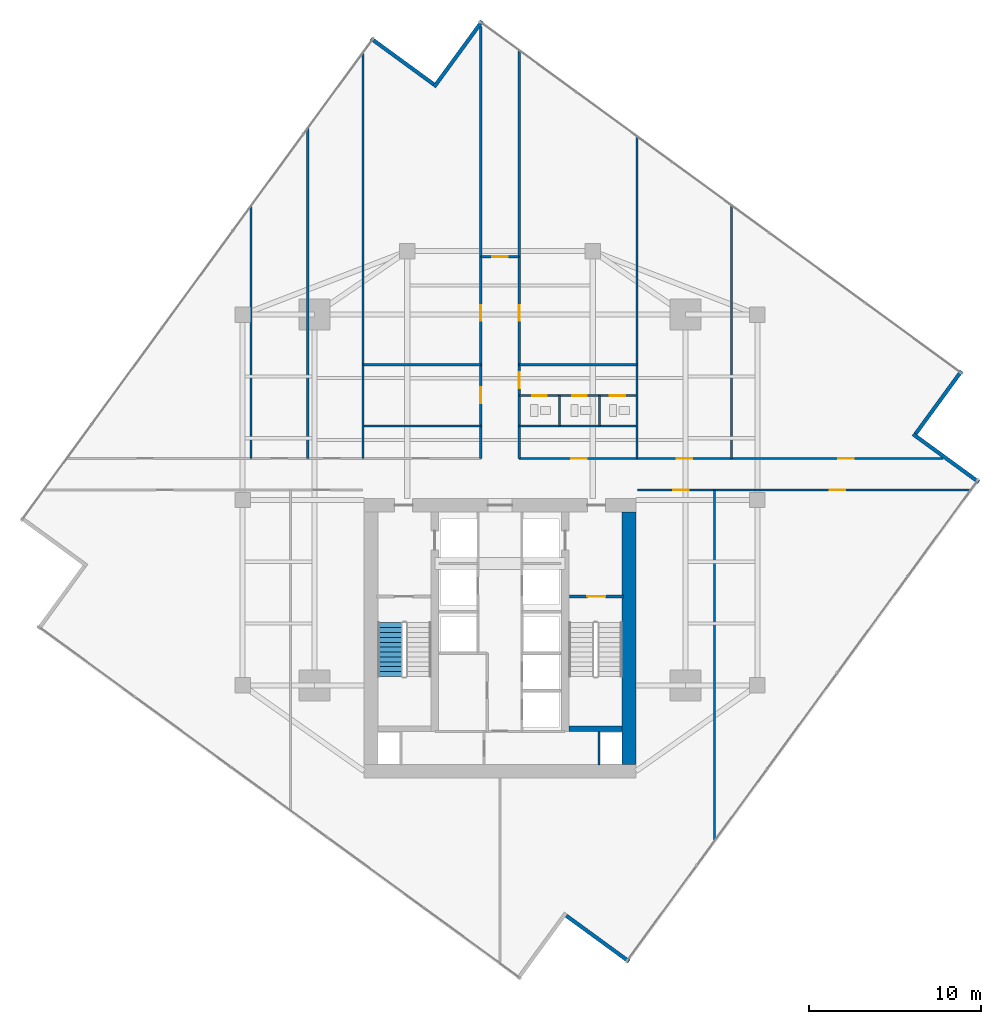
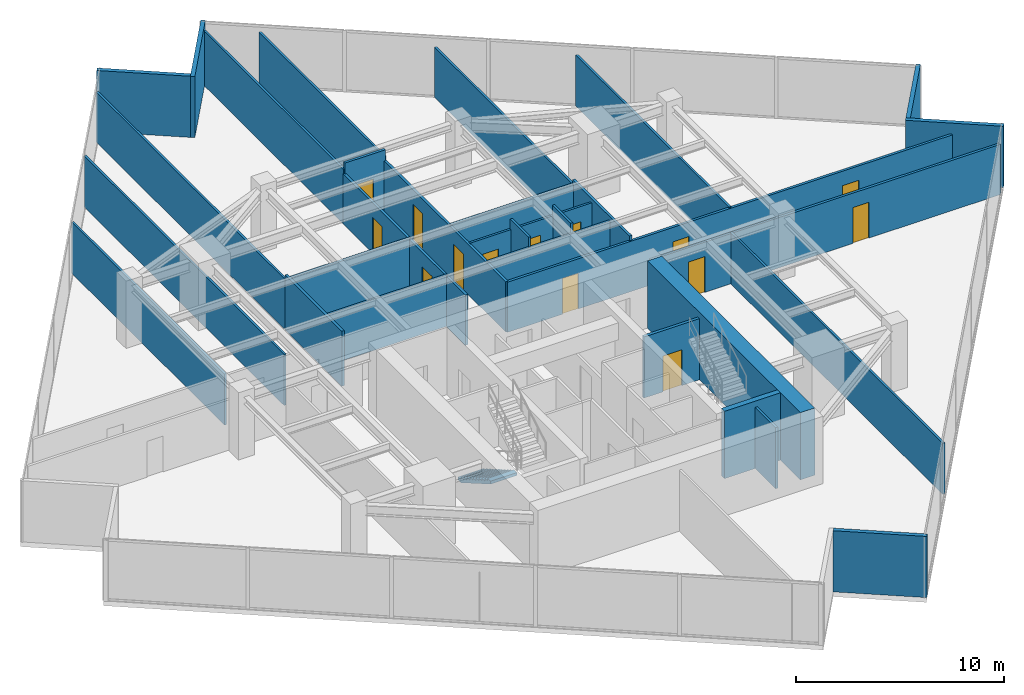
# One storey, part 22 of 25: 31 walls, 14 doors, 1 stair flight, 14 openings, 1 element without a shape of its own.
"""IFC4 building model written with IfcOpenShell, lengths in metres."""

from ifc_helpers import new_model, si_unit, direction, frame, frame_2d, origin, place, context, subcontext, project, spatial, polyline, rectangle, outline, extrude, material, layer, layer_set, type_object, element, fill, aggregate, save


model = new_model("IFC4")

# Units and contexts
model_context = context("Model", 3, precision=1e-05, world=origin(), true_north=direction((0.0, 1.0)))
body_context = subcontext(model_context, "Body", "Model", "MODEL_VIEW")
ifc_project = project(units=[si_unit("LENGTHUNIT", "METRE"), si_unit("AREAUNIT", "SQUARE_METRE"), si_unit("VOLUMEUNIT", "CUBIC_METRE"), si_unit("PLANEANGLEUNIT", "RADIAN"), si_unit("MASSUNIT", "GRAM", prefix="KILO")], contexts=[model_context])

# Site, building, storey
site_placement = place(None, origin())
site = spatial("IfcSite", under=ifc_project, at=site_placement, CompositionType="ELEMENT")
building_placement = place(site_placement, origin())
building = spatial("IfcBuilding", under=site, at=building_placement, Name="Krantzveldt Concourse Tower", CompositionType="ELEMENT")
storey_placement = place(building_placement, frame((0.0, 0.0, 197.550048828125)))
storey = spatial("IfcBuildingStorey", under=building, at=storey_placement, Name="L48", CompositionType="ELEMENT", Elevation=197.550048828125)

# Walls
ifc_material_1 = material(Name="Anodised aluminium 6063-T6", Category="aluminium")
ifc_layer_1 = layer(ifc_material_1, 0.219970703125, Name="Anodised aluminium 6063-T6", Category="aluminium")
ifc_layer_set_1 = layer_set([ifc_layer_1], Name="Anodised aluminium 6063-T6 (WL-EXT-NOTCH220)")
wall_type_1 = type_object("IfcWallType", Name="WL-EXT-NOTCH220", PredefinedType="ELEMENTEDWALL", material=ifc_layer_set_1)
for number, where, z_axis, x_axis, name in (
    (1, (32.138671875, 50.923828125, 0.0), (0.0, 0.0, 1.0), (-0.807734007732, 0.589547091209, 0.0), "EW-L48-NCH00"),
    (2, (39.861328125, 2.47607421875, 0.0), (0.0, 0.0, 1.0), (0.807734007732, -0.589547091209, 0.0), "EW-L48-NCH06"),
):
    element("IfcWall", number, at=place(storey_placement, frame(where, z_axis=z_axis, x_axis=x_axis)), inside=storey, type_object=wall_type_1, Name=name, PredefinedType="ELEMENTEDWALL", context=body_context, shape_type="SweptSolid", body=[
        extrude(rectangle(XDim=4.525146484375, YDim=0.219970703125, at=frame_2d((2.2626953125, 0.0))), origin(), (0.0, 0.0, 1.0), 3.58984375),
    ])
wall_1_placement = place(storey_placement, frame((63.90283203125, 27.73974609375, 0.0), z_axis=(0.0, 0.0, 1.0), x_axis=(-0.807718106916, 0.58956887618, 0.0)))
element("IfcWall", 3, at=wall_1_placement, inside=storey, type_object=wall_type_1, Name="EW-L48-NCH08", PredefinedType="ELEMENTEDWALL", context=body_context, shape_type="SweptSolid", body=[
    extrude(rectangle(XDim=4.7451171875, YDim=0.219970703125, at=frame_2d((2.37255859375, 0.0))), origin(), (0.0, 0.0, 1.0), 3.58984375),
])
wall_2_placement = place(storey_placement, frame((60.223876953125, 30.561279296875, 0.0), z_axis=(0.0, 0.0, 1.0), x_axis=(0.589547091209, 0.807734007732, 0.0)))
element("IfcWall", 4, at=wall_2_placement, inside=storey, type_object=wall_type_1, Name="EW-L48-NCH09", PredefinedType="ELEMENTEDWALL", context=body_context, shape_type="SweptSolid", body=[
    extrude(rectangle(XDim=4.525146484375, YDim=0.219970703125, at=frame_2d((2.2626953125, 0.0))), origin(), (0.0, 0.0, 1.0), 3.58984375),
])
wall_3_placement = place(storey_placement, frame((34.960205078125, 54.602783203125, 0.0), z_axis=(0.0, 0.0, 1.0), x_axis=(-0.589559809791, -0.807724724568, 0.0)))
element("IfcWall", 5, at=wall_3_placement, inside=storey, type_object=wall_type_1, Name="EW-L48-NCH11", PredefinedType="ELEMENTEDWALL", context=body_context, shape_type="SweptSolid", body=[
    extrude(rectangle(XDim=4.744873046875, YDim=0.219970703125, at=frame_2d((2.37255859375, 0.0))), origin(), (0.0, 0.0, 1.0), 3.58984375),
])
ifc_material_2 = material(Name="Fire-rated gypsum plasterboard on steel stud", Category="steel")
ifc_layer_2 = layer(ifc_material_2, 0.1201171875, Name="Fire-rated gypsum plasterboard on steel stud", Category="steel")
ifc_layer_set_2 = layer_set([ifc_layer_2], Name="Fire-rated gypsum plasterboard on steel stud (WL-PART-120)")
wall_type_2 = type_object("IfcWallType", Name="WL-PART-120", PredefinedType="PARTITIONING", material=ifc_layer_set_2)
for number, where, z_axis, x_axis, name in (
    (6, (28.02001953125, 31.02001953125, 0.0), (0.0, 0.0, 1.0), (1.0, 0.0, 0.0), "WP-L48-ISML"),
    (7, (37.1201171875, 31.02001953125, 0.0), (0.0, 0.0, 1.0), (1.0, 0.0, 0.0), "WP-L48-ISMR"),
):
    element("IfcWall", number, at=place(storey_placement, frame(where, z_axis=z_axis, x_axis=x_axis)), inside=storey, type_object=wall_type_2, Name=name, PredefinedType="PARTITIONING", context=body_context, shape_type="SweptSolid", body=[
        extrude(rectangle(XDim=6.85986328125, YDim=0.1201171875, at=frame_2d((3.429931640625, 0.0))), origin(), (0.0, 0.0, 1.0), 3.0),
    ])

# Wall, openings, doors
wall_4_placement = place(storey_placement, frame((37.14990234375, 32.780029296875, 0.0), z_axis=(0.0, 0.0, 1.0), x_axis=(1.0, 0.0, 0.0)))
wall_4 = element("IfcWall", 8, at=wall_4_placement, inside=storey, type_object=wall_type_2, Name="WP-L48-WCHDR", PredefinedType="PARTITIONING", context=body_context, shape_type="SweptSolid", body=[
    extrude(rectangle(XDim=6.800048828125, YDim=0.1201171875, at=frame_2d((3.39990234375, 0.0))), origin(), (0.0, 0.0, 1.0), 3.0),
])
opening_1_placement = place(wall_4_placement, frame((0.72509765625, 0.0, 0.0)))
opening_1 = element("IfcOpeningElement", 9, at=opening_1_placement, cuts=wall_4, Name="Opening D-IN085", PredefinedType="OPENING", context=body_context, shape_type="SweptSolid", body=[
    extrude(rectangle(XDim=0.85009765625, YDim=2.10009765625, at=frame_2d((0.425048828125, 1.050048828125))), frame((0.0, 0.070068359375, 0.0), z_axis=(0.0, -1.0, 0.0), x_axis=(1.0, 0.0, 0.0)), (0.0, 0.0, 1.0), 0.14013671875),
])
opening_2_placement = place(wall_4_placement, frame((3.06494140625, 0.0, 0.0)))
opening_2 = element("IfcOpeningElement", 10, at=opening_2_placement, cuts=wall_4, Name="Opening D-IN085", PredefinedType="OPENING", context=body_context, shape_type="SweptSolid", body=[
    extrude(rectangle(XDim=0.85009765625, YDim=2.10009765625, at=frame_2d((0.425048828125, 1.050048828125))), frame((0.0, 0.070068359375, 0.0), z_axis=(0.0, -1.0, 0.0), x_axis=(1.0, 0.0, 0.0)), (0.0, 0.0, 1.0), 0.14013671875),
])
opening_3_placement = place(wall_4_placement, frame((5.25, 0.0, 0.0)))
opening_3 = element("IfcOpeningElement", 11, at=opening_3_placement, cuts=wall_4, Name="Opening D-IN090", PredefinedType="OPENING", context=body_context, shape_type="SweptSolid", body=[
    extrude(rectangle(XDim=0.89990234375, YDim=2.10009765625, at=frame_2d((0.449951171875, 1.050048828125))), frame((0.0, 0.070068359375, 0.0), z_axis=(0.0, -1.0, 0.0), x_axis=(1.0, 0.0, 0.0)), (0.0, 0.0, 1.0), 0.14013671875),
])
ifc_material_3 = material(Name="Hardwood timber", Category="wood")
door_type_1 = type_object("IfcDoorType", Name="DR-INT-850", OperationType="SINGLE_SWING_LEFT", PredefinedType="DOOR", material=ifc_material_3)
door_1_placement = place(opening_1_placement, origin())
door_1 = element("IfcDoor", 12, at=door_1_placement, inside=storey, type_object=door_type_1, Name="DR-L48-WCM", OperationType="SINGLE_SWING_LEFT", OverallHeight=2.10009765625, OverallWidth=0.85009765625, PredefinedType="DOOR", context=body_context, shape_type="SweptSolid", body=[
    extrude(rectangle(XDim=0.85009765625, YDim=2.10009765625, at=frame_2d((0.425048828125, 1.050048828125))), frame((0.0, 0.02490234375, 0.0), z_axis=(0.0, -1.0, 0.0), x_axis=(1.0, 0.0, 0.0)), (0.0, 0.0, 1.0), 0.050048828125),
])
fill(opening_1, door_1)
door_2_placement = place(opening_2_placement, origin())
door_2 = element("IfcDoor", 13, at=door_2_placement, inside=storey, type_object=door_type_1, Name="DR-L48-WCF", OperationType="SINGLE_SWING_RIGHT", OverallHeight=2.10009765625, OverallWidth=0.85009765625, PredefinedType="DOOR", context=body_context, shape_type="SweptSolid", body=[
    extrude(rectangle(XDim=0.85009765625, YDim=2.10009765625, at=frame_2d((0.425048828125, 1.050048828125))), frame((0.0, 0.02490234375, 0.0), z_axis=(0.0, -1.0, 0.0), x_axis=(1.0, 0.0, 0.0)), (0.0, 0.0, 1.0), 0.050048828125),
])
fill(opening_2, door_2)
door_type_2 = type_object("IfcDoorType", Name="DR-INT-900", OperationType="SINGLE_SWING_LEFT", PredefinedType="DOOR", material=ifc_material_3)
door_3_placement = place(opening_3_placement, origin())
door_3 = element("IfcDoor", 14, at=door_3_placement, inside=storey, type_object=door_type_2, Name="DR-L48-WCA", OperationType="SINGLE_SWING_LEFT", OverallHeight=2.10009765625, OverallWidth=0.89990234375, PredefinedType="DOOR", context=body_context, shape_type="SweptSolid", body=[
    extrude(rectangle(XDim=0.89990234375, YDim=2.10009765625, at=frame_2d((0.449951171875, 1.050048828125))), frame((0.0, 0.02490234375, 0.0), z_axis=(0.0, -1.0, 0.0), x_axis=(1.0, 0.0, 0.0)), (0.0, 0.0, 1.0), 0.050048828125),
])
fill(opening_3, door_3)

# Walls
for number, where, z_axis, x_axis, name in (
    (15, (39.469970703125, 31.02001953125, 0.0), (0.0, 0.0, 1.0), (0.0, 1.0, 0.0), "WP-L48-WCD1"),
    (16, (41.81005859375, 31.02001953125, 0.0), (0.0, 0.0, 1.0), (0.0, 1.0, 0.0), "WP-L48-WCD2"),
):
    element("IfcWall", number, at=place(storey_placement, frame(where, z_axis=z_axis, x_axis=x_axis)), inside=storey, type_object=wall_type_2, Name=name, PredefinedType="PARTITIONING", context=body_context, shape_type="SweptSolid", body=[
        extrude(rectangle(XDim=1.760009765625, YDim=0.1201171875, at=frame_2d((0.8798828125, 0.0))), origin(), (0.0, 0.0, 1.0), 3.58984375),
    ])
wall_5_placement = place(storey_placement, frame((34.8798828125, 40.8798828125, 0.0), z_axis=(0.0, 0.0, 1.0), x_axis=(0.0, 1.0, 0.0)))
element("IfcWall", 17, at=wall_5_placement, inside=storey, type_object=wall_type_2, Name="WP-L48-NTL", PredefinedType="PARTITIONING", context=body_context, shape_type="SweptSolid", body=[
    extrude(rectangle(XDim=13.41796875, YDim=0.1201171875, at=frame_2d((6.708984375, 0.0))), origin(), (0.0, 0.0, 1.0), 3.199951171875),
])
wall_6_placement = place(storey_placement, frame((37.1201171875, 40.8798828125, 0.0), z_axis=(0.0, 0.0, 1.0), x_axis=(0.0, 1.0, 0.0)))
element("IfcWall", 18, at=wall_6_placement, inside=storey, type_object=wall_type_2, Name="WP-L48-NTR", PredefinedType="PARTITIONING", context=body_context, shape_type="SweptSolid", body=[
    extrude(rectangle(XDim=12.004150390625, YDim=0.1201171875, at=frame_2d((6.001953125, 0.0))), origin(), (0.0, 0.0, 1.0), 3.199951171875),
])
wall_7_placement = place(storey_placement, frame((21.5, 29.1201171875, 0.0), z_axis=(0.0, 0.0, 1.0), x_axis=(0.0, 1.0, 0.0)))
element("IfcWall", 19, at=wall_7_placement, inside=storey, type_object=wall_type_2, Name="WP-L48-NWX1", PredefinedType="PARTITIONING", context=body_context, shape_type="SweptSolid", body=[
    extrude(rectangle(XDim=14.7080078125, YDim=0.1201171875, at=frame_2d((7.35400390625, 0.0))), origin(), (0.0, 0.0, 1.0), 3.0),
])
wall_8_placement = place(storey_placement, frame((24.800048828125, 29.1201171875, 0.0), z_axis=(0.0, 0.0, 1.0), x_axis=(0.0, 1.0, 0.0)))
element("IfcWall", 20, at=wall_8_placement, inside=storey, type_object=wall_type_2, Name="WP-L48-NWX2", PredefinedType="PARTITIONING", context=body_context, shape_type="SweptSolid", body=[
    extrude(rectangle(XDim=19.229248046875, YDim=0.1201171875, at=frame_2d((9.61474609375, 0.0))), origin(), (0.0, 0.0, 1.0), 3.0),
])
wall_9_placement = place(storey_placement, frame((28.02001953125, 34.580078125, 0.0), z_axis=(0.0, 0.0, 1.0), x_axis=(0.0, 1.0, 0.0)))
element("IfcWall", 21, at=wall_9_placement, inside=storey, type_object=wall_type_2, Name="WP-L48-ISWL2", PredefinedType="PARTITIONING", context=body_context, shape_type="SweptSolid", body=[
    extrude(rectangle(XDim=18.180908203125, YDim=0.1201171875, at=frame_2d((9.09033203125, 0.0))), origin(), (0.0, 0.0, 1.0), 2.949951171875),
])
wall_10_placement = place(storey_placement, frame((43.97998046875, 34.580078125, 0.0), z_axis=(0.0, 0.0, 1.0), x_axis=(0.0, 1.0, 0.0)))
element("IfcWall", 22, at=wall_10_placement, inside=storey, type_object=wall_type_2, Name="WP-L48-ISER2", PredefinedType="PARTITIONING", context=body_context, shape_type="SweptSolid", body=[
    extrude(rectangle(XDim=13.297119140625, YDim=0.1201171875, at=frame_2d((6.6484375, 0.0))), origin(), (0.0, 0.0, 1.0), 2.949951171875),
])
wall_11_placement = place(storey_placement, frame((49.5, 29.1201171875, 0.0), z_axis=(0.0, 0.0, 1.0), x_axis=(0.0, 1.0, 0.0)))
element("IfcWall", 23, at=wall_11_placement, inside=storey, type_object=wall_type_2, Name="WP-L48-NEX1", PredefinedType="PARTITIONING", context=body_context, shape_type="SweptSolid", body=[
    extrude(rectangle(XDim=14.72802734375, YDim=0.1201171875, at=frame_2d((7.364013671875, 0.0))), origin(), (0.0, 0.0, 1.0), 3.0),
])
wall_12_placement = place(storey_placement, frame((48.5, 6.831787109375, 0.0), z_axis=(0.0, 0.0, 1.0), x_axis=(0.0, 1.0, 0.0)))
element("IfcWall", 24, at=wall_12_placement, inside=storey, type_object=wall_type_2, Name="WP-L48-SEX1", PredefinedType="PARTITIONING", context=body_context, shape_type="SweptSolid", body=[
    extrude(rectangle(XDim=20.4482421875, YDim=0.1201171875, at=frame_2d((10.22412109375, 0.0))), origin(), (0.0, 0.0, 1.0), 3.0),
])

# Wall, openings, doors
ifc_layer_3 = layer(ifc_material_2, 0.139892578125, Name="Fire-rated gypsum plasterboard on steel stud", Category="steel")
ifc_layer_set_3 = layer_set([ifc_layer_3], Name="Fire-rated gypsum plasterboard on steel stud (WL-PART-140)")
wall_type_3 = type_object("IfcWallType", Name="WL-PART-140", PredefinedType="PARTITIONING", material=ifc_layer_set_3)
wall_13_placement = place(storey_placement, frame((34.8798828125, 29.1201171875, 0.0), z_axis=(0.0, 0.0, 1.0), x_axis=(0.0, 1.0, 0.0)))
wall_13 = element("IfcWall", 25, at=wall_13_placement, inside=storey, type_object=wall_type_3, Name="WP-L48-SPWL", PredefinedType="PARTITIONING", context=body_context, shape_type="SweptSolid", body=[
    extrude(rectangle(XDim=11.759765625, YDim=0.139892578125, at=frame_2d((5.8798828125, 0.0))), origin(), (0.0, 0.0, 1.0), 2.949951171875),
])
opening_4_placement = place(wall_13_placement, frame((3.205078125, 0.0, 0.0)))
opening_4 = element("IfcOpeningElement", 26, at=opening_4_placement, cuts=wall_13, Name="Opening D-IN095", PredefinedType="OPENING", context=body_context, shape_type="SweptSolid", body=[
    extrude(rectangle(XDim=0.949951171875, YDim=2.10009765625, at=frame_2d((0.47509765625, 1.050048828125))), frame((0.0, 0.080078125, 0.0), z_axis=(0.0, -1.0, 0.0), x_axis=(1.0, 0.0, 0.0)), (0.0, 0.0, 1.0), 0.159912109375),
])
opening_5_placement = place(wall_13_placement, frame((8.02001953125, 0.0, 0.0)))
opening_5 = element("IfcOpeningElement", 27, at=opening_5_placement, cuts=wall_13, Name="Opening D-IN090", PredefinedType="OPENING", context=body_context, shape_type="SweptSolid", body=[
    extrude(rectangle(XDim=0.89990234375, YDim=2.10009765625, at=frame_2d((0.449951171875, 1.050048828125))), frame((0.0, 0.080078125, 0.0), z_axis=(0.0, -1.0, 0.0), x_axis=(1.0, 0.0, 0.0)), (0.0, 0.0, 1.0), 0.159912109375),
])
door_4_placement = place(opening_5_placement, origin())
door_4 = element("IfcDoor", 28, at=door_4_placement, inside=storey, type_object=door_type_2, Name="DR-L48-NWI1", OperationType="SINGLE_SWING_LEFT", OverallHeight=2.10009765625, OverallWidth=0.89990234375, PredefinedType="DOOR", context=body_context, shape_type="SweptSolid", body=[
    extrude(rectangle(XDim=0.89990234375, YDim=2.10009765625, at=frame_2d((0.449951171875, 1.050048828125))), frame((0.0, 0.02490234375, 0.0), z_axis=(0.0, -1.0, 0.0), x_axis=(1.0, 0.0, 0.0)), (0.0, 0.0, 1.0), 0.050048828125),
])
fill(opening_5, door_4)
door_type_3 = type_object("IfcDoorType", Name="DR-INT-950", OperationType="SINGLE_SWING_LEFT", PredefinedType="DOOR", material=ifc_material_3)
door_5_placement = place(opening_4_placement, origin())
door_5 = element("IfcDoor", 29, at=door_5_placement, inside=storey, type_object=door_type_3, Name="DR-L48-PNT", OperationType="SINGLE_SWING_RIGHT", OverallHeight=2.10009765625, OverallWidth=0.949951171875, PredefinedType="DOOR", context=body_context, shape_type="SweptSolid", body=[
    extrude(rectangle(XDim=0.949951171875, YDim=2.10009765625, at=frame_2d((0.47509765625, 1.050048828125))), frame((0.0, 0.02490234375, 0.0), z_axis=(0.0, -1.0, 0.0), x_axis=(1.0, 0.0, 0.0)), (0.0, 0.0, 1.0), 0.050048828125),
])
fill(opening_4, door_5)

wall_14_placement = place(storey_placement, frame((37.1201171875, 29.1201171875, 0.0), z_axis=(0.0, 0.0, 1.0), x_axis=(0.0, 1.0, 0.0)))
wall_14 = element("IfcWall", 30, at=wall_14_placement, inside=storey, type_object=wall_type_3, Name="WP-L48-SPER", PredefinedType="PARTITIONING", context=body_context, shape_type="SweptSolid", body=[
    extrude(rectangle(XDim=11.759765625, YDim=0.139892578125, at=frame_2d((5.8798828125, 0.0))), origin(), (0.0, 0.0, 1.0), 2.949951171875),
])
opening_6_placement = place(wall_14_placement, frame((4.0849609375, 0.0, 0.0)))
opening_6 = element("IfcOpeningElement", 31, at=opening_6_placement, cuts=wall_14, Name="Opening D-IN095", PredefinedType="OPENING", context=body_context, shape_type="SweptSolid", body=[
    extrude(rectangle(XDim=0.949951171875, YDim=2.10009765625, at=frame_2d((0.47509765625, 1.050048828125))), frame((0.0, 0.080078125, 0.0), z_axis=(0.0, -1.0, 0.0), x_axis=(1.0, 0.0, 0.0)), (0.0, 0.0, 1.0), 0.159912109375),
])
opening_7_placement = place(wall_14_placement, frame((8.02001953125, 0.0, 0.0)))
opening_7 = element("IfcOpeningElement", 32, at=opening_7_placement, cuts=wall_14, Name="Opening D-IN090", PredefinedType="OPENING", context=body_context, shape_type="SweptSolid", body=[
    extrude(rectangle(XDim=0.89990234375, YDim=2.10009765625, at=frame_2d((0.449951171875, 1.050048828125))), frame((0.0, 0.080078125, 0.0), z_axis=(0.0, -1.0, 0.0), x_axis=(1.0, 0.0, 0.0)), (0.0, 0.0, 1.0), 0.159912109375),
])
door_6_placement = place(opening_7_placement, origin())
door_6 = element("IfcDoor", 33, at=door_6_placement, inside=storey, type_object=door_type_2, Name="DR-L48-NEI1", OperationType="SINGLE_SWING_LEFT", OverallHeight=2.10009765625, OverallWidth=0.89990234375, PredefinedType="DOOR", context=body_context, shape_type="SweptSolid", body=[
    extrude(rectangle(XDim=0.89990234375, YDim=2.10009765625, at=frame_2d((0.449951171875, 1.050048828125))), frame((0.0, 0.02490234375, 0.0), z_axis=(0.0, -1.0, 0.0), x_axis=(1.0, 0.0, 0.0)), (0.0, 0.0, 1.0), 0.050048828125),
])
fill(opening_7, door_6)
door_7_placement = place(opening_6_placement, origin())
door_7 = element("IfcDoor", 34, at=door_7_placement, inside=storey, type_object=door_type_3, Name="DR-L48-WCLB", OperationType="SINGLE_SWING_LEFT", OverallHeight=2.10009765625, OverallWidth=0.949951171875, PredefinedType="DOOR", context=body_context, shape_type="SweptSolid", body=[
    extrude(rectangle(XDim=0.949951171875, YDim=2.10009765625, at=frame_2d((0.47509765625, 1.050048828125))), frame((0.0, 0.02490234375, 0.0), z_axis=(0.0, -1.0, 0.0), x_axis=(1.0, 0.0, 0.0)), (0.0, 0.0, 1.0), 0.050048828125),
])
fill(opening_6, door_7)

# Wall, opening, door
wall_15_placement = place(storey_placement, frame((34.8798828125, 40.8798828125, 0.0), z_axis=(0.0, 0.0, 1.0), x_axis=(1.0, 0.0, 0.0)))
wall_15 = element("IfcWall", 35, at=wall_15_placement, inside=storey, type_object=wall_type_3, Name="WP-L48-SPTOP", PredefinedType="PARTITIONING", context=body_context, shape_type="SweptSolid", body=[
    extrude(rectangle(XDim=2.240234375, YDim=0.139892578125, at=frame_2d((1.1201171875, 0.0))), origin(), (0.0, 0.0, 1.0), 3.58984375),
])
opening_8_placement = place(wall_15_placement, frame((0.669921875, 0.0, 0.0)))
opening_8 = element("IfcOpeningElement", 36, at=opening_8_placement, cuts=wall_15, Name="Opening D-IN090", PredefinedType="OPENING", context=body_context, shape_type="SweptSolid", body=[
    extrude(rectangle(XDim=0.89990234375, YDim=2.10009765625, at=frame_2d((0.449951171875, 1.050048828125))), frame((0.0, 0.080078125, 0.0), z_axis=(0.0, -1.0, 0.0), x_axis=(1.0, 0.0, 0.0)), (0.0, 0.0, 1.0), 0.159912109375),
])
door_8_placement = place(opening_8_placement, origin())
door_8 = element("IfcDoor", 37, at=door_8_placement, inside=storey, type_object=door_type_2, Name="DR-L48-NTOP", OperationType="SINGLE_SWING_LEFT", OverallHeight=2.10009765625, OverallWidth=0.89990234375, PredefinedType="DOOR", context=body_context, shape_type="SweptSolid", body=[
    extrude(rectangle(XDim=0.89990234375, YDim=2.10009765625, at=frame_2d((0.449951171875, 1.050048828125))), frame((0.0, 0.02490234375, 0.0), z_axis=(0.0, -1.0, 0.0), x_axis=(1.0, 0.0, 0.0)), (0.0, 0.0, 1.0), 0.050048828125),
])
fill(opening_8, door_8)

# Wall, openings, doors
wall_16_placement = place(storey_placement, frame((37.1201171875, 29.1201171875, 0.0), z_axis=(0.0, 0.0, 1.0), x_axis=(1.0, 0.0, 0.0)))
wall_16 = element("IfcWall", 38, at=wall_16_placement, inside=storey, type_object=wall_type_3, Name="WP-L48-EWNR", PredefinedType="PARTITIONING", context=body_context, shape_type="SweptSolid", body=[
    extrude(rectangle(XDim=24.69677734375, YDim=0.139892578125, at=frame_2d((12.348388671875, 0.0))), origin(), (0.0, 0.0, 1.0), 2.949951171875),
])
opening_9_placement = place(wall_16_placement, frame((3.030029296875, 0.0, 0.0)))
opening_9 = element("IfcOpeningElement", 39, at=opening_9_placement, cuts=wall_16, Name="Opening D-IN090", PredefinedType="OPENING", context=body_context, shape_type="SweptSolid", body=[
    extrude(rectangle(XDim=0.89990234375, YDim=2.10009765625, at=frame_2d((0.449951171875, 1.050048828125))), frame((0.0, 0.080078125, 0.0), z_axis=(0.0, -1.0, 0.0), x_axis=(1.0, 0.0, 0.0)), (0.0, 0.0, 1.0), 0.159912109375),
])
opening_10_placement = place(wall_16_placement, frame((9.169921875, 0.0, 0.0)))
opening_10 = element("IfcOpeningElement", 40, at=opening_10_placement, cuts=wall_16, Name="Opening D-IN090", PredefinedType="OPENING", context=body_context, shape_type="SweptSolid", body=[
    extrude(rectangle(XDim=0.89990234375, YDim=2.10009765625, at=frame_2d((0.449951171875, 1.050048828125))), frame((0.0, 0.080078125, 0.0), z_axis=(0.0, -1.0, 0.0), x_axis=(1.0, 0.0, 0.0)), (0.0, 0.0, 1.0), 0.159912109375),
])
opening_11_placement = place(wall_16_placement, frame((18.60009765625, 0.0, 0.0)))
opening_11 = element("IfcOpeningElement", 41, at=opening_11_placement, cuts=wall_16, Name="Opening D-IN090", PredefinedType="OPENING", context=body_context, shape_type="SweptSolid", body=[
    extrude(rectangle(XDim=0.89990234375, YDim=2.10009765625, at=frame_2d((0.449951171875, 1.050048828125))), frame((0.0, 0.080078125, 0.0), z_axis=(0.0, -1.0, 0.0), x_axis=(1.0, 0.0, 0.0)), (0.0, 0.0, 1.0), 0.159912109375),
])
door_9_placement = place(opening_9_placement, origin())
door_9 = element("IfcDoor", 42, at=door_9_placement, inside=storey, type_object=door_type_2, Name="DR-L48-ALCR", OperationType="SINGLE_SWING_RIGHT", OverallHeight=2.10009765625, OverallWidth=0.89990234375, PredefinedType="DOOR", context=body_context, shape_type="SweptSolid", body=[
    extrude(rectangle(XDim=0.89990234375, YDim=2.10009765625, at=frame_2d((0.449951171875, 1.050048828125))), frame((0.0, 0.02490234375, 0.0), z_axis=(0.0, -1.0, 0.0), x_axis=(1.0, 0.0, 0.0)), (0.0, 0.0, 1.0), 0.050048828125),
])
fill(opening_9, door_9)
door_10_placement = place(opening_10_placement, origin())
door_10 = element("IfcDoor", 43, at=door_10_placement, inside=storey, type_object=door_type_2, Name="DR-L48-NEX1", OperationType="SINGLE_SWING_RIGHT", OverallHeight=2.10009765625, OverallWidth=0.89990234375, PredefinedType="DOOR", context=body_context, shape_type="SweptSolid", body=[
    extrude(rectangle(XDim=0.89990234375, YDim=2.10009765625, at=frame_2d((0.449951171875, 1.050048828125))), frame((0.0, 0.02490234375, 0.0), z_axis=(0.0, -1.0, 0.0), x_axis=(1.0, 0.0, 0.0)), (0.0, 0.0, 1.0), 0.050048828125),
])
fill(opening_10, door_10)
door_11_placement = place(opening_11_placement, origin())
door_11 = element("IfcDoor", 44, at=door_11_placement, inside=storey, type_object=door_type_2, Name="DR-L48-NEX2", OperationType="SINGLE_SWING_RIGHT", OverallHeight=2.10009765625, OverallWidth=0.89990234375, PredefinedType="DOOR", context=body_context, shape_type="SweptSolid", body=[
    extrude(rectangle(XDim=0.89990234375, YDim=2.10009765625, at=frame_2d((0.449951171875, 1.050048828125))), frame((0.0, 0.02490234375, 0.0), z_axis=(0.0, -1.0, 0.0), x_axis=(1.0, 0.0, 0.0)), (0.0, 0.0, 1.0), 0.050048828125),
])
fill(opening_11, door_11)

wall_17_placement = place(storey_placement, frame((44.0, 27.280029296875, 0.0), z_axis=(0.0, 0.0, 1.0), x_axis=(1.0, 0.0, 0.0)))
wall_17 = element("IfcWall", 45, at=wall_17_placement, inside=storey, type_object=wall_type_3, Name="WP-L48-EWSR", PredefinedType="PARTITIONING", context=body_context, shape_type="SweptSolid", body=[
    extrude(rectangle(XDim=19.4248046875, YDim=0.139892578125, at=frame_2d((9.71240234375, 0.0))), origin(), (0.0, 0.0, 1.0), 2.949951171875),
])
opening_12_placement = place(wall_17_placement, frame((2.10009765625, 0.0, 0.0)))
opening_12 = element("IfcOpeningElement", 46, at=opening_12_placement, cuts=wall_17, Name="Opening D-IN090", PredefinedType="OPENING", context=body_context, shape_type="SweptSolid", body=[
    extrude(rectangle(XDim=0.89990234375, YDim=2.10009765625, at=frame_2d((0.449951171875, 1.050048828125))), frame((0.0, 0.080078125, 0.0), z_axis=(0.0, -1.0, 0.0), x_axis=(1.0, 0.0, 0.0)), (0.0, 0.0, 1.0), 0.159912109375),
])
opening_13_placement = place(wall_17_placement, frame((11.219970703125, 0.0, 0.0)))
opening_13 = element("IfcOpeningElement", 47, at=opening_13_placement, cuts=wall_17, Name="Opening D-IN090", PredefinedType="OPENING", context=body_context, shape_type="SweptSolid", body=[
    extrude(rectangle(XDim=0.89990234375, YDim=2.10009765625, at=frame_2d((0.449951171875, 1.050048828125))), frame((0.0, 0.080078125, 0.0), z_axis=(0.0, -1.0, 0.0), x_axis=(1.0, 0.0, 0.0)), (0.0, 0.0, 1.0), 0.159912109375),
])
door_12_placement = place(opening_12_placement, origin())
door_12 = element("IfcDoor", 48, at=door_12_placement, inside=storey, type_object=door_type_2, Name="DR-L48-SEX1", OperationType="SINGLE_SWING_RIGHT", OverallHeight=2.10009765625, OverallWidth=0.89990234375, PredefinedType="DOOR", context=body_context, shape_type="SweptSolid", body=[
    extrude(rectangle(XDim=0.89990234375, YDim=2.10009765625, at=frame_2d((0.449951171875, 1.050048828125))), frame((0.0, 0.02490234375, 0.0), z_axis=(0.0, -1.0, 0.0), x_axis=(1.0, 0.0, 0.0)), (0.0, 0.0, 1.0), 0.050048828125),
])
fill(opening_12, door_12)
door_13_placement = place(opening_13_placement, origin())
door_13 = element("IfcDoor", 49, at=door_13_placement, inside=storey, type_object=door_type_2, Name="DR-L48-SEX2", OperationType="SINGLE_SWING_RIGHT", OverallHeight=2.10009765625, OverallWidth=0.89990234375, PredefinedType="DOOR", context=body_context, shape_type="SweptSolid", body=[
    extrude(rectangle(XDim=0.89990234375, YDim=2.10009765625, at=frame_2d((0.449951171875, 1.050048828125))), frame((0.0, 0.02490234375, 0.0), z_axis=(0.0, -1.0, 0.0), x_axis=(1.0, 0.0, 0.0)), (0.0, 0.0, 1.0), 0.050048828125),
])
fill(opening_13, door_13)

# Walls
for number, where, z_axis, x_axis, name in (
    (50, (28.02001953125, 34.580078125, 0.0), (0.0, 0.0, 1.0), (1.0, 0.0, 0.0), "WP-L48-ISNL"),
    (51, (37.1201171875, 34.580078125, 0.0), (0.0, 0.0, 1.0), (1.0, 0.0, 0.0), "WP-L48-ISNR"),
):
    element("IfcWall", number, at=place(storey_placement, frame(where, z_axis=z_axis, x_axis=x_axis)), inside=storey, type_object=wall_type_3, Name=name, PredefinedType="PARTITIONING", context=body_context, shape_type="SweptSolid", body=[
        extrude(rectangle(XDim=6.85986328125, YDim=0.139892578125, at=frame_2d((3.429931640625, 0.0))), origin(), (0.0, 0.0, 1.0), 3.0),
    ])
for number, where, z_axis, x_axis, name in (
    (52, (28.02001953125, 29.1201171875, 0.0), (0.0, 0.0, 1.0), (0.0, 1.0, 0.0), "WP-L48-ISWL"),
    (53, (43.97998046875, 29.1201171875, 0.0), (0.0, 0.0, 1.0), (0.0, 1.0, 0.0), "WP-L48-ISER"),
):
    element("IfcWall", number, at=place(storey_placement, frame(where, z_axis=z_axis, x_axis=x_axis)), inside=storey, type_object=wall_type_3, Name=name, PredefinedType="PARTITIONING", context=body_context, shape_type="SweptSolid", body=[
        extrude(rectangle(XDim=5.4599609375, YDim=0.139892578125, at=frame_2d((2.72998046875, 0.0))), origin(), (0.0, 0.0, 1.0), 3.22998046875),
    ])
ifc_layer_4 = layer(ifc_material_2, 0.139892578125, Name="Fire-rated gypsum plasterboard on steel stud", Category="steel")
ifc_layer_set_4 = layer_set([ifc_layer_4], Name="Fire-rated gypsum plasterboard on steel stud (WL-PART-FR140)")
wall_type_4 = type_object("IfcWallType", Name="WL-PART-FR140", PredefinedType="PARTITIONING", material=ifc_layer_set_4)
wall_18_placement = place(storey_placement, frame((41.780029296875, 11.25, 0.0), z_axis=(0.0, 0.0, 1.0), x_axis=(0.0, 1.0, 0.0)))
element("IfcWall", 54, at=wall_18_placement, inside=storey, type_object=wall_type_4, Name="WP-L48-RSE", PredefinedType="PARTITIONING", context=body_context, shape_type="SweptSolid", body=[
    extrude(rectangle(XDim=1.969970703125, YDim=0.1201171875, at=frame_2d((0.98486328125, 0.0))), origin(), (0.0, 0.0, 1.0), 3.58984375),
])

# Wall, opening, door
ifc_layer_5 = layer(ifc_material_2, 0.159912109375, Name="Fire-rated gypsum plasterboard on steel stud", Category="steel")
ifc_layer_set_5 = layer_set([ifc_layer_5], Name="Fire-rated gypsum plasterboard on steel stud (WL-PART-FR160)")
wall_type_5 = type_object("IfcWallType", Name="WL-PART-FR160", PredefinedType="PARTITIONING", material=ifc_layer_set_5)
wall_19_placement = place(storey_placement, frame((40.0400390625, 21.080078125, 0.0), z_axis=(0.0, 0.0, 1.0), x_axis=(1.0, 0.0, 0.0)))
wall_19 = element("IfcWall", 55, at=wall_19_placement, inside=storey, type_object=wall_type_5, Name="WP-L48-ST2", PredefinedType="PARTITIONING", context=body_context, shape_type="SweptSolid", body=[
    extrude(rectangle(XDim=3.159912109375, YDim=0.159912109375, at=frame_2d((1.580078125, 0.0))), origin(), (0.0, 0.0, 1.0), 3.58984375),
])
opening_14_placement = place(wall_19_placement, frame((1.054931640625, 0.0, 0.0)))
opening_14 = element("IfcOpeningElement", 56, at=opening_14_placement, cuts=wall_19, Name="Opening D-FD105", PredefinedType="OPENING", context=body_context, shape_type="SweptSolid", body=[
    extrude(rectangle(XDim=1.050048828125, YDim=2.10009765625, at=frame_2d((0.52490234375, 1.050048828125))), frame((0.0, 0.08984375, 0.0), z_axis=(0.0, -1.0, 0.0), x_axis=(1.0, 0.0, 0.0)), (0.0, 0.0, 1.0), 0.179931640625),
])
ifc_material_4 = material(Name="Galvanised steel", Category="steel")
door_type_4 = type_object("IfcDoorType", Name="DR-FD120-1050", OperationType="SINGLE_SWING_LEFT", PredefinedType="DOOR", material=ifc_material_4)
door_14_placement = place(opening_14_placement, origin())
door_14 = element("IfcDoor", 57, at=door_14_placement, inside=storey, type_object=door_type_4, Name="DR-L48-ST2", OperationType="SINGLE_SWING_LEFT", OverallHeight=2.10009765625, OverallWidth=1.050048828125, PredefinedType="DOOR", context=body_context, shape_type="SweptSolid", body=[
    extrude(rectangle(XDim=1.050048828125, YDim=2.10009765625, at=frame_2d((0.52490234375, 1.050048828125))), frame((0.0, 0.02490234375, 0.0), z_axis=(0.0, -1.0, 0.0), x_axis=(1.0, 0.0, 0.0)), (0.0, 0.0, 1.0), 0.050048828125),
])
fill(opening_14, door_14)

# Walls
ifc_material_5 = material(Name="Concrete C50/60", Category="concrete")
ifc_layer_6 = layer(ifc_material_5, 0.300048828125, Name="Concrete C50/60", Category="concrete")
ifc_layer_set_6 = layer_set([ifc_layer_6], Name="Concrete C50/60 (WL-SHEAR-300)")
wall_type_6 = type_object("IfcWallType", Name="WL-SHEAR-300", PredefinedType="SHEAR", material=ifc_layer_set_6)
wall_20_placement = place(storey_placement, frame((40.02001953125, 13.3701171875, 0.0), z_axis=(0.0, 0.0, 1.0), x_axis=(1.0, 0.0, 0.0)))
element("IfcWall", 58, at=wall_20_placement, inside=storey, type_object=wall_type_6, Name="CW-L48-ST2S", PredefinedType="SHEAR", context=body_context, shape_type="SweptSolid", body=[
    extrude(rectangle(XDim=3.10009765625, YDim=0.300048828125, at=frame_2d((1.550048828125, 0.0))), origin(), (0.0, 0.0, 1.0), 3.949951171875),
])
ifc_material_6 = material(Name="Concrete C60/75", Category="concrete")
ifc_layer_7 = layer(ifc_material_6, 0.800048828125, Name="Concrete C60/75", Category="concrete")
ifc_layer_set_7 = layer_set([ifc_layer_7], Name="Concrete C60/75 (WL-SHEAR-800)")
wall_type_7 = type_object("IfcWallType", Name="WL-SHEAR-800", PredefinedType="SHEAR", material=ifc_layer_set_7)
wall_21_placement = place(storey_placement, frame((43.52001953125, 11.300048828125, 0.0), z_axis=(0.0, 0.0, 1.0), x_axis=(0.0, 1.0, 0.0)))
element("IfcWall", 59, at=wall_21_placement, inside=storey, type_object=wall_type_7, Name="CW-L48-E", PredefinedType="SHEAR", context=body_context, shape_type="SweptSolid", body=[
    extrude(rectangle(XDim=14.699951171875, YDim=0.800048828125, at=frame_2d((7.35009765625, 0.0))), origin(), (0.0, 0.0, 1.0), 3.949951171875),
])

# Stair, stair flight
ifc_material_7 = material(Name="Precast concrete C40/50", Category="concrete")
stair_type = type_object("IfcStairType", Name="STR-CORE-DOGLEG", PredefinedType="HALF_TURN_STAIR", material=ifc_material_7)
stair_placement = place(storey_placement, origin())
stair = element("IfcStair", 60, at=stair_placement, inside=storey, type_object=stair_type, Name="L48 Protected Escape Stair ST-1", PredefinedType="HALF_TURN_STAIR")
stair_flight_type = type_object("IfcStairFlightType", Name="STF-CORE-1450", PredefinedType="STRAIGHT", material=ifc_material_7)
stair_flight_placement = place(storey_placement, frame((29.60498046875, 19.550048828125, 0.0), z_axis=(0.0, 0.0, 1.0), x_axis=(0.0, -1.0, 0.0)))
stair_flight = element("IfcStairFlight", 61, at=stair_flight_placement, type_object=stair_flight_type, Name="ST-1 flight 1", NumberOfRisers=12, NumberOfTreads=11, PredefinedType="STRAIGHT", RiserHeight=0.164583333, TreadLength=0.285, context=body_context, shape_type="SweptSolid", body=[
    extrude(outline(polyline([(0.0, 0.0), (0.0, 0.16455078125), (0.284912109375, 0.16455078125), (0.284912109375, 0.3291015625), (0.570068359375, 0.3291015625), (0.570068359375, 0.49365234375), (0.85498046875, 0.49365234375), (0.85498046875, 0.658447265625), (1.139892578125, 0.658447265625), (1.139892578125, 0.822998046875), (1.425048828125, 0.822998046875), (1.425048828125, 0.987548828125), (1.7099609375, 0.987548828125), (1.7099609375, 1.152099609375), (1.9951171875, 1.152099609375), (1.9951171875, 1.316650390625), (2.280029296875, 1.316650390625), (2.280029296875, 1.481201171875), (2.56494140625, 1.481201171875), (2.56494140625, 1.645751953125), (2.85009765625, 1.645751953125), (2.85009765625, 1.810302734375), (3.135009765625, 1.810302734375), (3.135009765625, 1.97509765625), (3.135009765625, 1.63720703125), (0.2998046875, 0.0), (0.0, 0.0)])), frame((0.0, 0.72509765625, 0.0), z_axis=(0.0, -1.0, 0.0), x_axis=(1.0, 0.0, 0.0)), (0.0, 0.0, 1.0), 1.449951171875),
])
aggregate(stair, [stair_flight])

save(model, "model.ifc")
